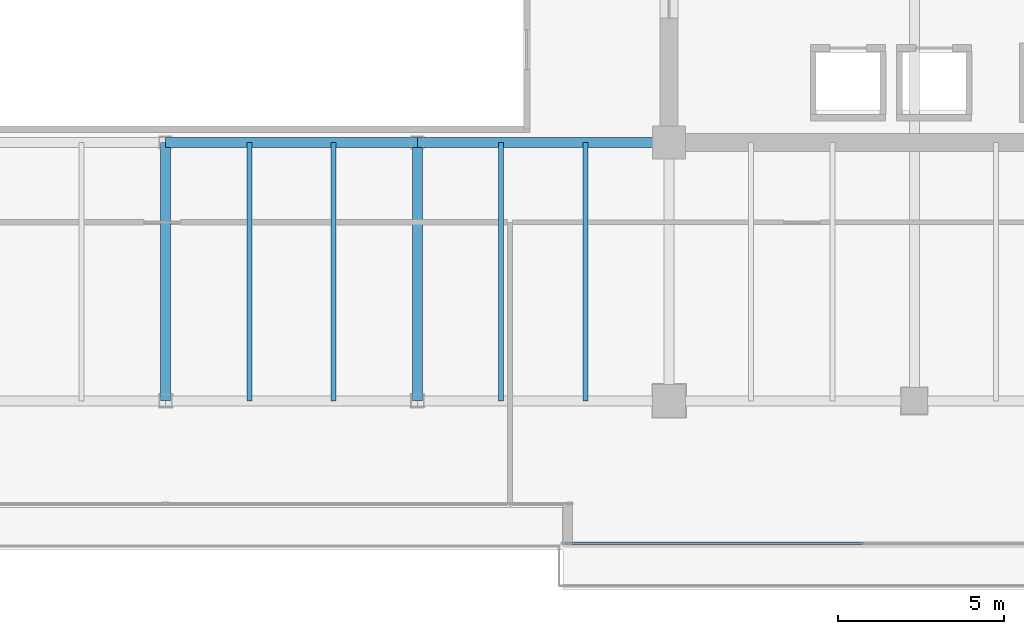
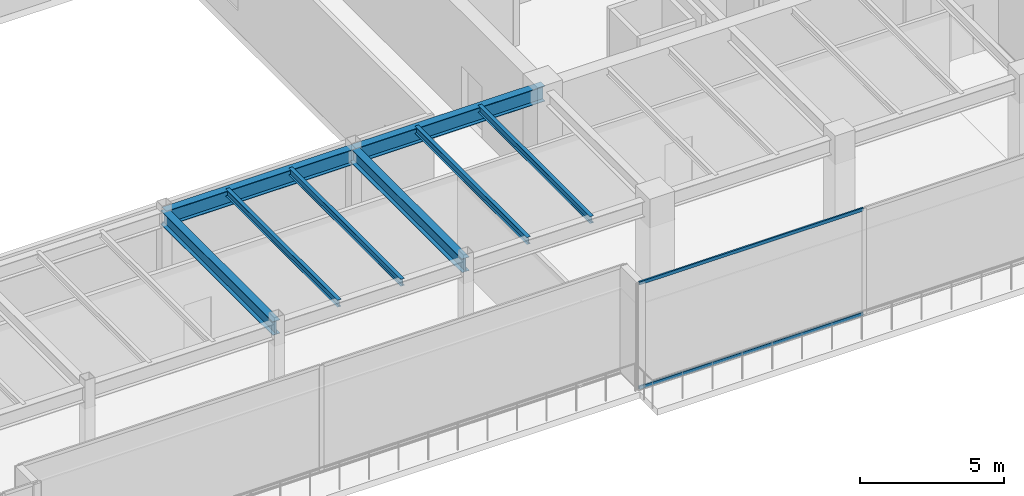
# One storey, part 12 of 37: 8 beams, 2 members, 1 element without a shape of its own.
"""IFC4 building model written with IfcOpenShell, lengths in metres."""

from ifc_helpers import new_model, si_unit, direction, frame, origin, origin_2d, place, context, subcontext, project, spatial, hollow_rectangle, i_section, extrude, source, transform, mapped, material, layer, layer_set, material_profile, profile_set, type_object, type_shapes, element, aggregate, save


model = new_model("IFC4")

# Units and contexts
model_context = context("Model", 3, precision=1e-05, world=origin(), true_north=direction((0.0, 1.0)))
body_context = subcontext(model_context, "Body", "Model", "MODEL_VIEW")
ifc_project = project(units=[si_unit("LENGTHUNIT", "METRE"), si_unit("AREAUNIT", "SQUARE_METRE"), si_unit("VOLUMEUNIT", "CUBIC_METRE"), si_unit("PLANEANGLEUNIT", "RADIAN"), si_unit("MASSUNIT", "GRAM", prefix="KILO")], contexts=[model_context])

# Site, building, storey
site_placement = place(None, origin())
site = spatial("IfcSite", under=ifc_project, at=site_placement, CompositionType="ELEMENT")
building_placement = place(site_placement, origin())
building = spatial("IfcBuilding", under=site, at=building_placement, Name="Haelvirn Gate Laboratories", CompositionType="ELEMENT")
storey_placement = place(building_placement, frame((0.0, 0.0, 196.60009765625)))
storey = spatial("IfcBuildingStorey", under=building, at=storey_placement, Name="L47", CompositionType="ELEMENT", Elevation=196.60009765625)

# Beams
ifc_material_1 = material(Name="Steel SM355", Category="steel")
ifc_material_profile_1 = material_profile(ifc_material_1, i_section(OverallWidth=0.14990234375, OverallDepth=0.300048828125, WebThickness=0.006591796875, FlangeThickness=0.009033203125, at=origin_2d()), Name="H-300x150x6.5x9")
ifc_profile_set_1 = profile_set([ifc_material_profile_1], Name="Steel SM355")
beam_type_1 = type_object("IfcBeamType", Name="BM-J-300", PredefinedType="JOIST", material=ifc_profile_set_1)
shared_shape_1 = source(origin(), body_context, "Body", "SweptSolid", [
    extrude(i_section(OverallWidth=0.14990234375, OverallDepth=0.300048828125, WebThickness=0.006591796875, FlangeThickness=0.009033203125, at=origin_2d()), origin(), (0.0, 0.0, 1.0), 7.800048828125),
])
type_shapes(beam_type_1, [shared_shape_1])
for number, where, z_axis, x_axis, name in (
    (1, (39.929931640625, 7.0, 4.349853515625), (0.0, 1.0, 0.0), (-1.0, 0.0, 0.0), "L47 Composite Lab Joist South X39.93"),
    (2, (42.469970703125, 7.0, 4.349853515625), (0.0, 1.0, 0.0), (-1.0, 0.0, 0.0), "L47 Composite Lab Joist South X42.47"),
    (3, (47.530029296875, 7.0, 4.349853515625), (0.0, 1.0, 0.0), (-1.0, 0.0, 0.0), "L47 Composite Lab Joist South X47.53"),
    (4, (50.070068359375, 7.0, 4.349853515625), (0.0, 1.0, 0.0), (-1.0, 0.0, 0.0), "L47 Composite Lab Joist South X50.07"),
):
    element("IfcBeam", number, at=place(storey_placement, frame(where, z_axis=z_axis, x_axis=x_axis)), inside=storey, type_object=beam_type_1, Name=name, PredefinedType="JOIST", context=body_context, shape_type="MappedRepresentation", body=[
        mapped(shared_shape_1, transform((0.0, 0.0, 0.0), scale=1.0)),
    ])
ifc_material_profile_2 = material_profile(ifc_material_1, i_section(OverallWidth=0.300048828125, OverallDepth=0.587890625, WebThickness=0.011962890625, FlangeThickness=0.02001953125, at=origin_2d()), Name="H-588x300x12x20")
ifc_profile_set_2 = profile_set([ifc_material_profile_2], Name="Steel SM355")
beam_type_2 = type_object("IfcBeamType", Name="BM-G-588", PredefinedType="BEAM", material=ifc_profile_set_2)
shared_shape_2 = source(origin(), body_context, "Body", "SweptSolid", [
    extrude(i_section(OverallWidth=0.300048828125, OverallDepth=0.587890625, WebThickness=0.011962890625, FlangeThickness=0.02001953125, at=origin_2d()), origin(), (0.0, 0.0, 1.0), 7.800048828125),
])
type_shapes(beam_type_2, [shared_shape_2])
for number, where, z_axis, x_axis, name in (
    (5, (37.39990234375, 7.0, 4.205810546875), (0.0, 1.0, 0.0), (-1.0, 0.0, 0.0), "L47 Frame Girder X37.4 (7.0-14.8)"),
    (6, (45.0, 7.0, 4.205810546875), (0.0, 1.0, 0.0), (-1.0, 0.0, 0.0), "L47 Frame Girder X45.0 (7.0-14.8)"),
):
    element("IfcBeam", number, at=place(storey_placement, frame(where, z_axis=z_axis, x_axis=x_axis)), inside=storey, type_object=beam_type_2, Name=name, PredefinedType="BEAM", context=body_context, shape_type="MappedRepresentation", body=[
        mapped(shared_shape_2, transform((0.0, 0.0, 0.0), scale=1.0)),
    ])
ifc_material_profile_3 = material_profile(ifc_material_1, i_section(OverallWidth=0.300048828125, OverallDepth=0.64990234375, WebThickness=0.012939453125, FlangeThickness=0.02197265625, at=origin_2d()), Name="H-650x300x13x22")
ifc_profile_set_3 = profile_set([ifc_material_profile_3], Name="Steel SM355")
beam_type_3 = type_object("IfcBeamType", Name="BM-G-650", PredefinedType="BEAM", material=ifc_profile_set_3)
shared_shape_3 = source(origin(), body_context, "Body", "SweptSolid", [
    extrude(i_section(OverallWidth=0.300048828125, OverallDepth=0.64990234375, WebThickness=0.012939453125, FlangeThickness=0.02197265625, at=origin_2d()), origin(), (0.0, 0.0, 1.0), 7.60009765625),
])
type_shapes(beam_type_3, [shared_shape_3])
for number, where, z_axis, x_axis, name in (
    (7, (37.39990234375, 14.800048828125, 4.1748046875), (1.0, 0.0, 0.0), (0.0, 1.0, 0.0), "L47 Primary Girder Y14.8 (37.4-45.0)"),
    (8, (45.0, 14.800048828125, 4.1748046875), (1.0, 0.0, 0.0), (0.0, 1.0, 0.0), "L47 Primary Girder Y14.8 (45.0-52.6)"),
):
    element("IfcBeam", number, at=place(storey_placement, frame(where, z_axis=z_axis, x_axis=x_axis)), inside=storey, type_object=beam_type_3, Name=name, PredefinedType="BEAM", context=body_context, shape_type="MappedRepresentation", body=[
        mapped(shared_shape_3, transform((0.0, 0.0, 0.0), scale=1.0)),
    ])

# Curtain wall, members
ifc_material_2 = material(Name="Anodised bronze unitised aluminium & triple low-E glass", Category="aluminium")
ifc_layer = layer(ifc_material_2, 0.176025390625, Name="CW-SYS-4")
ifc_layer_set = layer_set([ifc_layer], Name="Anodised bronze unitised aluminium & triple low-E glass")
curtain_wall_type = type_object("IfcCurtainWallType", Name="CW-SYS-4", PredefinedType="NOTDEFINED", material=ifc_layer_set)
curtain_wall_placement = place(storey_placement, origin())
curtain_wall = element("IfcCurtainWall", 9, at=curtain_wall_placement, inside=storey, type_object=curtain_wall_type, Name="L47 Unitised Curtain Wall CW-L47-P0-E04-1", PredefinedType="NOTDEFINED")
ifc_material_3 = material(Name="Extruded aluminium 6063-T6 (anodised bronze)", Category="aluminium")
ifc_material_profile_4 = material_profile(ifc_material_3, hollow_rectangle(XDim=0.06494140625, YDim=0.139892578125, WallThickness=0.00390625, at=origin_2d()), Name="CWT-140x65x4")
ifc_profile_set_4 = profile_set([ifc_material_profile_4], Name="Extruded aluminium 6063-T6 (anodised bronze)")
member_type = type_object("IfcMemberType", Name="CWT-T140", PredefinedType="USERDEFINED", material=ifc_profile_set_4)
shared_shape_4 = source(origin(), body_context, "Body", "SweptSolid", [
    extrude(hollow_rectangle(XDim=0.06494140625, YDim=0.139892578125, WallThickness=0.00390625, at=origin_2d()), origin(), (0.0, 0.0, 1.0), 8.9951171875),
])
type_shapes(member_type, [shared_shape_4])
member_1_placement = place(storey_placement, frame((49.469970703125, 2.699951171875, 0.032470703125), z_axis=(1.0, 0.0, 0.0), x_axis=(0.0, 1.0, 0.0)))
member_1 = element("IfcMember", 10, at=member_1_placement, type_object=member_type, Name="CW4 transom 1.1", ObjectType="TRANSOM", PredefinedType="USERDEFINED", context=body_context, shape_type="MappedRepresentation", body=[
    mapped(shared_shape_4, transform((0.0, 0.0, 0.0), scale=1.0)),
])
member_2_placement = place(storey_placement, frame((49.469970703125, 2.699951171875, 4.46728515625), z_axis=(1.0, 0.0, 0.0), x_axis=(0.0, 1.0, 0.0)))
member_2 = element("IfcMember", 11, at=member_2_placement, type_object=member_type, Name="CW4 transom 1.2", ObjectType="TRANSOM", PredefinedType="USERDEFINED", context=body_context, shape_type="MappedRepresentation", body=[
    mapped(shared_shape_4, transform((0.0, 0.0, 0.0), scale=1.0)),
])
aggregate(curtain_wall, [member_1, member_2])

save(model, "model.ifc")
